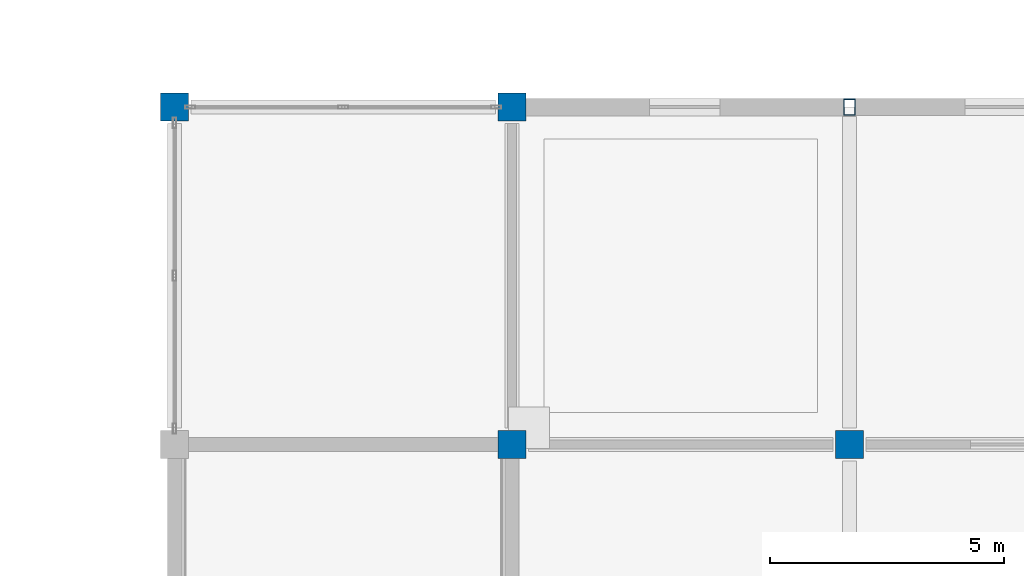
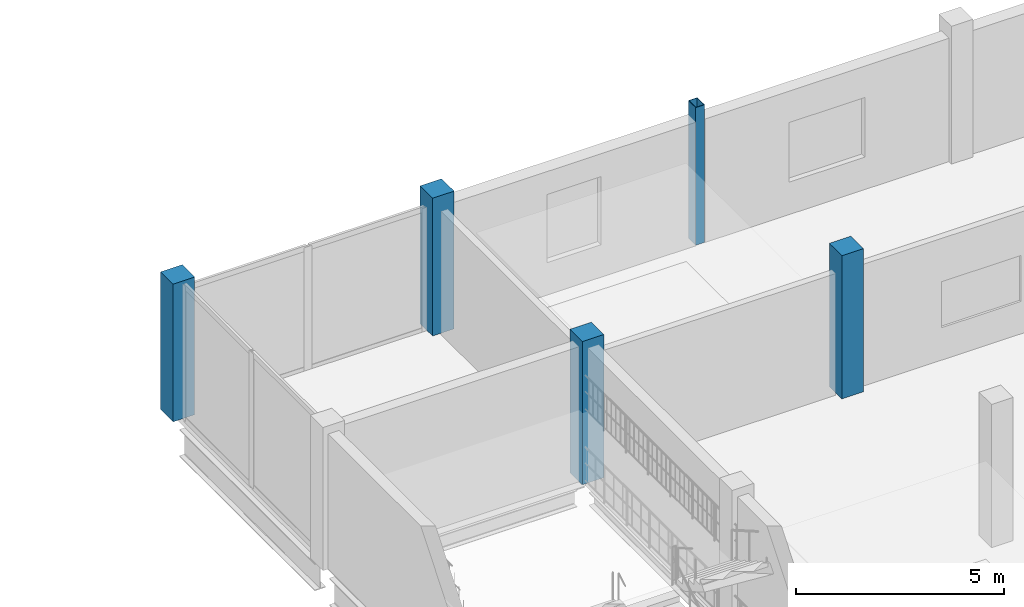
# One storey, part 2 of 51: 5 columns.
"""IFC4 building model written with IfcOpenShell, lengths in metres."""

from ifc_helpers import new_model, si_unit, direction, frame, origin, origin_2d, place, context, subcontext, project, spatial, rectangle, hollow_rectangle, extrude, material, material_profile, profile_set, type_object, element, save


model = new_model("IFC4")

# Units and contexts
model_context = context("Model", 3, precision=1e-05, world=origin(), true_north=direction((0.0, 1.0)))
body_context = subcontext(model_context, "Body", "Model", "MODEL_VIEW")
ifc_project = project(units=[si_unit("LENGTHUNIT", "METRE"), si_unit("AREAUNIT", "SQUARE_METRE"), si_unit("VOLUMEUNIT", "CUBIC_METRE"), si_unit("PLANEANGLEUNIT", "RADIAN"), si_unit("MASSUNIT", "GRAM", prefix="KILO")], contexts=[model_context])

# Site, building, storey
site_placement = place(None, origin())
site = spatial("IfcSite", under=ifc_project, at=site_placement, CompositionType="ELEMENT")
building_placement = place(site_placement, origin())
building = spatial("IfcBuilding", under=site, at=building_placement, Name="Vesperath Aquatics Centre", CompositionType="ELEMENT")
storey_placement = place(building_placement, frame((0.0, 0.0, 15.0)))
storey = spatial("IfcBuildingStorey", under=building, at=storey_placement, Name="L03", CompositionType="ELEMENT", Elevation=15.0)

# Columns
ifc_material_1 = material(Name="Concrete C40", Category="concrete")
ifc_material_profile_1 = material_profile(ifc_material_1, rectangle(XDim=0.60009765625, YDim=0.60009765625, at=origin_2d()), Name="RC 600x600")
ifc_profile_set_1 = profile_set([ifc_material_profile_1], Name="Concrete C40")
column_type_1 = type_object("IfcColumnType", Name="CL-C06", PredefinedType="COLUMN", material=ifc_profile_set_1)
column_1_placement = place(storey_placement, frame((115.199951171875, 43.199951171875, 0.0), z_axis=(0.0, 0.0, 1.0), x_axis=(1.0, 0.0, 0.0)))
element("IfcColumn", 1, at=column_1_placement, inside=storey, type_object=column_type_1, Name="Column C06 L03 17/G", PredefinedType="COLUMN", context=body_context, shape_type="SweptSolid", body=[
    extrude(rectangle(XDim=0.60009765625, YDim=0.60009765625, at=origin_2d()), origin(), (0.0, 0.0, 1.0), 4.0400390625),
])
column_2_placement = place(storey_placement, frame((122.39990234375, 36.0, 0.0), z_axis=(0.0, 0.0, 1.0), x_axis=(1.0, 0.0, 0.0)))
element("IfcColumn", 2, at=column_2_placement, inside=storey, type_object=column_type_1, Name="Column C06 L03 18/F", PredefinedType="COLUMN", context=body_context, shape_type="SweptSolid", body=[
    extrude(rectangle(XDim=0.60009765625, YDim=0.60009765625, at=origin_2d()), origin(), (0.0, 0.0, 1.0), 4.199951171875),
])
column_3_placement = place(storey_placement, frame((122.39990234375, 43.199951171875, 0.0), z_axis=(0.0, 0.0, 1.0), x_axis=(1.0, 0.0, 0.0)))
element("IfcColumn", 3, at=column_3_placement, inside=storey, type_object=column_type_1, Name="Column C06 L03 18/G", PredefinedType="COLUMN", context=body_context, shape_type="SweptSolid", body=[
    extrude(rectangle(XDim=0.60009765625, YDim=0.60009765625, at=origin_2d()), origin(), (0.0, 0.0, 1.0), 4.0400390625),
])
column_4_placement = place(storey_placement, frame((129.60009765625, 36.0, 0.0), z_axis=(0.0, 0.0, 1.0), x_axis=(1.0, 0.0, 0.0)))
element("IfcColumn", 4, at=column_4_placement, inside=storey, type_object=column_type_1, Name="Column C06 L03 19/F", PredefinedType="COLUMN", context=body_context, shape_type="SweptSolid", body=[
    extrude(rectangle(XDim=0.60009765625, YDim=0.60009765625, at=origin_2d()), origin(), (0.0, 0.0, 1.0), 4.199951171875),
])
ifc_material_2 = material(Name="Steel Q355C", Category="steel")
ifc_material_profile_2 = material_profile(ifc_material_2, hollow_rectangle(XDim=0.25, YDim=0.35009765625, WallThickness=0.011962890625, at=origin_2d()), Name="RHS 350x250x12")
ifc_profile_set_2 = profile_set([ifc_material_profile_2], Name="Steel Q355C")
column_type_2 = type_object("IfcColumnType", Name="CL-C16", PredefinedType="COLUMN", material=ifc_profile_set_2)
column_5_placement = place(storey_placement, frame((129.60009765625, 43.199951171875, 0.0), z_axis=(0.0, 0.0, 1.0), x_axis=(1.0, 0.0, 0.0)))
element("IfcColumn", 5, at=column_5_placement, inside=storey, type_object=column_type_2, Name="Column C16 L03 19/G", PredefinedType="COLUMN", context=body_context, shape_type="SweptSolid", body=[
    extrude(hollow_rectangle(XDim=0.25, YDim=0.35009765625, WallThickness=0.011962890625, at=origin_2d()), origin(), (0.0, 0.0, 1.0), 4.0400390625),
])

save(model, "model.ifc")
